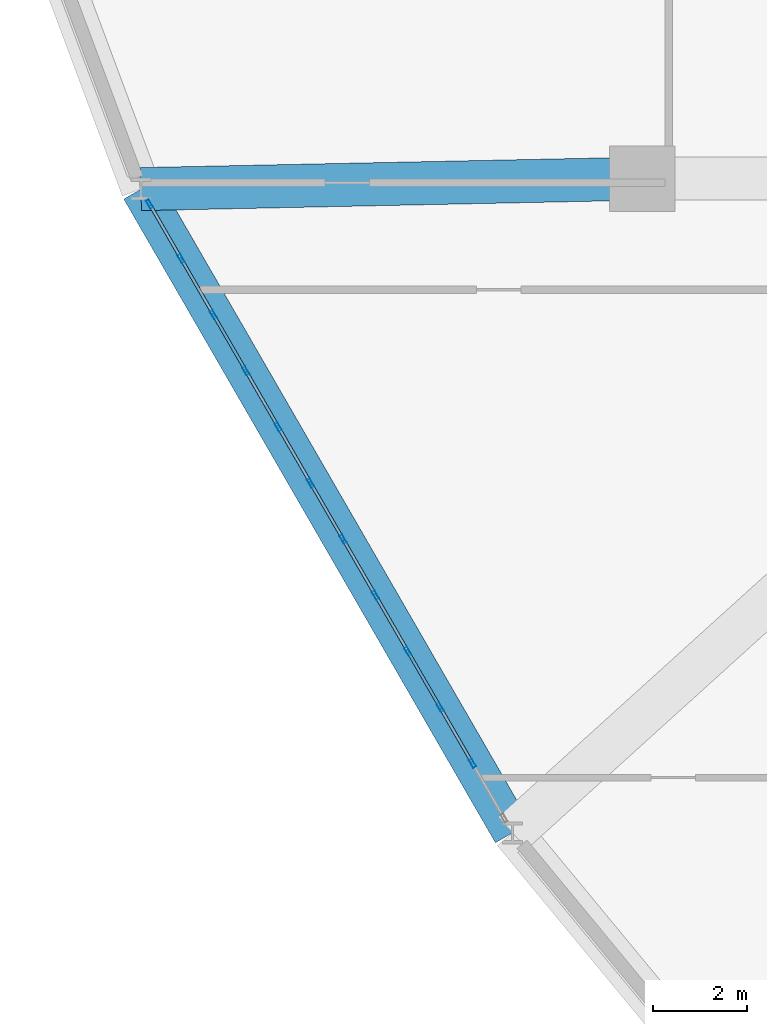
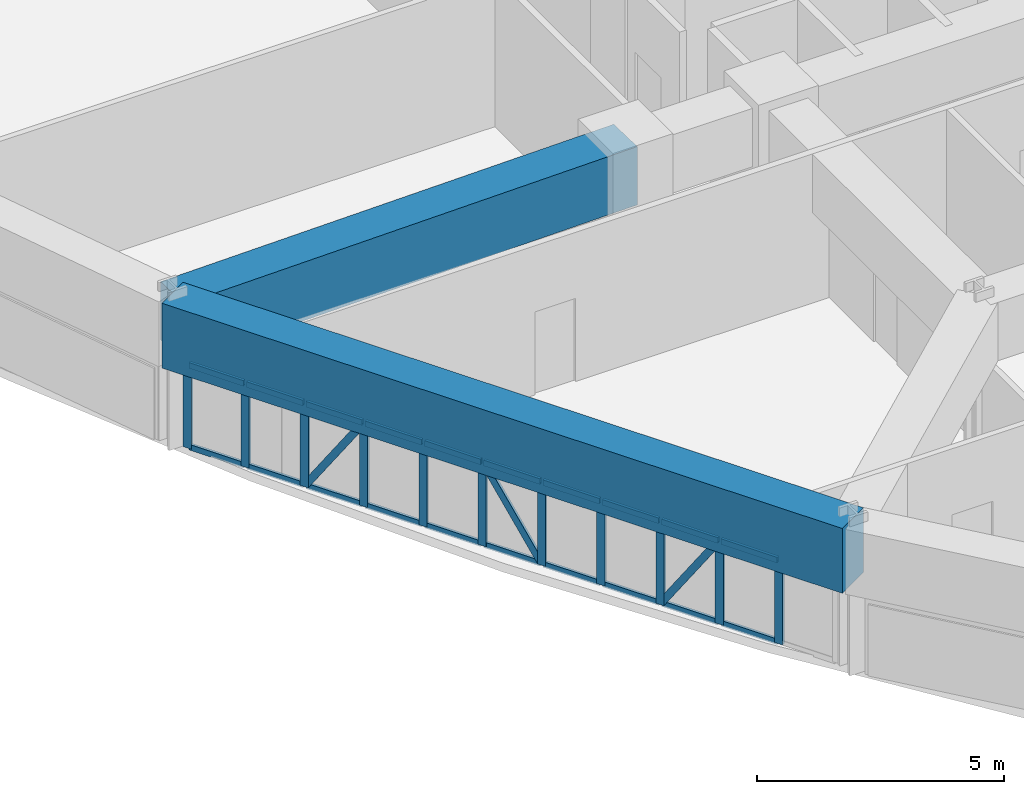
# One storey, part 4 of 20: 34 members, 2 beams, 1 element without a shape of its own.
"""IFC4 building model written with IfcOpenShell, lengths in metres."""

from ifc_helpers import new_model, si_unit, derived_unit, direction, frame, origin, origin_2d, place, context, subcontext, project, spatial, rectangle, hollow_rectangle, extrude, source, transform, mapped, material, layer, layer_set, material_profile, profile_set, type_object, element, aggregate, save


model = new_model("IFC4")

# Units and contexts
model_context = context("Model", 3, precision=1e-05, world=origin(), true_north=direction((0.0, 1.0)))
body_context = subcontext(model_context, "Body", "Model", "MODEL_VIEW")
ifc_project = project(units=[si_unit("LENGTHUNIT", "METRE"), si_unit("AREAUNIT", "SQUARE_METRE"), si_unit("VOLUMEUNIT", "CUBIC_METRE"), si_unit("PLANEANGLEUNIT", "RADIAN"), si_unit("MASSUNIT", "GRAM", prefix="KILO"), derived_unit("THERMALTRANSMITTANCEUNIT", [(si_unit("POWERUNIT", "WATT"), 1), (si_unit("LENGTHUNIT", "METRE"), -2), (si_unit("THERMODYNAMICTEMPERATUREUNIT", "KELVIN"), -1)])], contexts=[model_context])

# Site, building, storey
site_placement = place(None, origin())
site = spatial("IfcSite", under=ifc_project, at=site_placement, CompositionType="ELEMENT")
building_placement = place(site_placement, origin())
building = spatial("IfcBuilding", under=site, at=building_placement, Name="Korsvarv Bourse and Concert Hall", CompositionType="ELEMENT")
storey_placement = place(building_placement, frame((0.0, 0.0, 35.699951171875)))
storey = spatial("IfcBuildingStorey", under=building, at=storey_placement, Name="L08", CompositionType="ELEMENT", Elevation=35.699951171875)

# Beams
ifc_material_1 = material(Name="Concrete C55/67", Category="concrete")
ifc_material_profile_1 = material_profile(ifc_material_1, rectangle(XDim=0.85009765625, YDim=1.60009765625, at=origin_2d()), Name="RC-BM 850x1600")
ifc_profile_set_1 = profile_set([ifc_material_profile_1], Name="Concrete C55/67")
beam_type_1 = type_object("IfcBeamType", Name="BM-TR1B", PredefinedType="BEAM", material=ifc_profile_set_1)
shared_shape_1 = source(origin(), body_context, "Body", "SweptSolid", [
    extrude(rectangle(XDim=0.85009765625, YDim=1.60009765625, at=origin_2d()), origin(), (0.0, 0.0, 1.0), 15.88232421875),
])
beam_1_placement = place(storey_placement, frame((13.4951171875, 32.176513671875, 2.880126953125), z_axis=(0.500002773106, -0.866023802725, 0.0), x_axis=(0.866023802725, 0.500002773106, 0.0)))
element("IfcBeam", 1, at=beam_1_placement, inside=storey, type_object=beam_type_1, Name="L08 beam B-TR2", PredefinedType="BEAM", context=body_context, shape_type="MappedRepresentation", body=[
    mapped(shared_shape_1, transform((0.0, 0.0, 0.0), scale=1.0)),
])
ifc_material_2 = material(Name="Concrete C50/60", Category="concrete")
ifc_material_profile_2 = material_profile(ifc_material_2, rectangle(XDim=0.919921875, YDim=1.43994140625, at=origin_2d()), Name="RC-BM 920x1440")
ifc_profile_set_2 = profile_set([ifc_material_profile_2], Name="Concrete C50/60")
beam_type_2 = type_object("IfcBeamType", Name="BM-TR-144", PredefinedType="BEAM", material=ifc_profile_set_2)
shared_shape_2 = source(origin(), body_context, "Body", "SweptSolid", [
    extrude(rectangle(XDim=0.919921875, YDim=1.43994140625, at=origin_2d()), origin(), (0.0, 0.0, 1.0), 10.707275390625),
])
beam_2_placement = place(storey_placement, frame((13.4951171875, 32.176513671875, 2.9599609375), z_axis=(0.999782333994, 0.020863476078, 0.0), x_axis=(-0.020863476078, 0.999782333994, 0.0)))
element("IfcBeam", 2, at=beam_2_placement, inside=storey, type_object=beam_type_2, Name="L08 beam B-TR4", PredefinedType="BEAM", context=body_context, shape_type="MappedRepresentation", body=[
    mapped(shared_shape_2, transform((0.0, 0.0, 0.0), scale=1.0)),
])

# Curtain wall, members
ifc_material_3 = material(Name="Anodised aluminium and triple low-E glazing", Category="glass")
ifc_layer = layer(ifc_material_3, 0.219970703125)
ifc_layer_set = layer_set([ifc_layer], Name="Anodised aluminium and triple low-E glazing")
curtain_wall_type = type_object("IfcCurtainWallType", Name="CW-SYS-1", PredefinedType="NOTDEFINED", material=ifc_layer_set)
curtain_wall_placement = place(storey_placement, origin())
curtain_wall = element("IfcCurtainWall", 3, at=curtain_wall_placement, inside=storey, type_object=curtain_wall_type, Name="L08 CW1 curtain wall CW-L08-F07", PredefinedType="NOTDEFINED")
ifc_material_4 = material(Name="Extruded aluminium EN AW-6063 T66", Category="aluminium")
ifc_material_profile_3 = material_profile(ifc_material_4, hollow_rectangle(XDim=0.070068359375, YDim=0.18994140625, WallThickness=0.0048828125, at=origin_2d()), Name="ALU-M 70x190")
ifc_profile_set_3 = profile_set([ifc_material_profile_3], Name="Extruded aluminium EN AW-6063 T66")
member_type_1 = type_object("IfcMemberType", Name="CWM-190", PredefinedType="MULLION", material=ifc_profile_set_3)
shared_shape_3 = source(origin(), body_context, "Body", "SweptSolid", [
    extrude(hollow_rectangle(XDim=0.070068359375, YDim=0.18994140625, WallThickness=0.0048828125, at=origin_2d()), origin(), (0.0, 0.0, 1.0), 2.080078125),
])
member_1_placement = place(storey_placement, frame((13.678466796875, 31.859130859375, 0.0), z_axis=(0.0, 0.0, 1.0), x_axis=(0.866025616828, 0.499999630998, 0.0)))
member_1 = element("IfcMember", 4, at=member_1_placement, type_object=member_type_1, Name="CW1 mullion 1", PredefinedType="MULLION", context=body_context, shape_type="MappedRepresentation", body=[
    mapped(shared_shape_3, transform((0.0, 0.0, 0.0), scale=1.0)),
])
member_2_placement = place(storey_placement, frame((14.352783203125, 30.691162109375, 0.0), z_axis=(0.0, 0.0, 1.0), x_axis=(0.866025616828, 0.499999630998, 0.0)))
member_2 = element("IfcMember", 5, at=member_2_placement, type_object=member_type_1, Name="CW1 mullion 2", PredefinedType="MULLION", context=body_context, shape_type="MappedRepresentation", body=[
    mapped(shared_shape_3, transform((0.0, 0.0, 0.0), scale=1.0)),
])
member_3_placement = place(storey_placement, frame((15.04443359375, 29.492919921875, 0.0), z_axis=(0.0, 0.0, 1.0), x_axis=(0.866025616828, 0.499999630998, 0.0)))
member_3 = element("IfcMember", 6, at=member_3_placement, type_object=member_type_1, Name="CW1 mullion 3", PredefinedType="MULLION", context=body_context, shape_type="MappedRepresentation", body=[
    mapped(shared_shape_3, transform((0.0, 0.0, 0.0), scale=1.0)),
])
member_4_placement = place(storey_placement, frame((15.736328125, 28.294677734375, 0.0), z_axis=(0.0, 0.0, 1.0), x_axis=(0.866025616828, 0.499999630998, 0.0)))
member_4 = element("IfcMember", 7, at=member_4_placement, type_object=member_type_1, Name="CW1 mullion 4", PredefinedType="MULLION", context=body_context, shape_type="MappedRepresentation", body=[
    mapped(shared_shape_3, transform((0.0, 0.0, 0.0), scale=1.0)),
])
member_5_placement = place(storey_placement, frame((16.427978515625, 27.096435546875, 0.0), z_axis=(0.0, 0.0, 1.0), x_axis=(0.866025616828, 0.499999630998, 0.0)))
member_5 = element("IfcMember", 8, at=member_5_placement, type_object=member_type_1, Name="CW1 mullion 5", PredefinedType="MULLION", context=body_context, shape_type="MappedRepresentation", body=[
    mapped(shared_shape_3, transform((0.0, 0.0, 0.0), scale=1.0)),
])
member_6_placement = place(storey_placement, frame((17.119873046875, 25.898193359375, 0.0), z_axis=(0.0, 0.0, 1.0), x_axis=(0.866025616828, 0.499999630998, 0.0)))
member_6 = element("IfcMember", 9, at=member_6_placement, type_object=member_type_1, Name="CW1 mullion 6", PredefinedType="MULLION", context=body_context, shape_type="MappedRepresentation", body=[
    mapped(shared_shape_3, transform((0.0, 0.0, 0.0), scale=1.0)),
])
member_7_placement = place(storey_placement, frame((17.8115234375, 24.7001953125, 0.0), z_axis=(0.0, 0.0, 1.0), x_axis=(0.866025616828, 0.499999630998, 0.0)))
member_7 = element("IfcMember", 10, at=member_7_placement, type_object=member_type_1, Name="CW1 mullion 7", PredefinedType="MULLION", context=body_context, shape_type="MappedRepresentation", body=[
    mapped(shared_shape_3, transform((0.0, 0.0, 0.0), scale=1.0)),
])
member_8_placement = place(storey_placement, frame((18.50341796875, 23.501953125, 0.0), z_axis=(0.0, 0.0, 1.0), x_axis=(0.866025616828, 0.499999630998, 0.0)))
member_8 = element("IfcMember", 11, at=member_8_placement, type_object=member_type_1, Name="CW1 mullion 8", PredefinedType="MULLION", context=body_context, shape_type="MappedRepresentation", body=[
    mapped(shared_shape_3, transform((0.0, 0.0, 0.0), scale=1.0)),
])
member_9_placement = place(storey_placement, frame((19.1953125, 22.3037109375, 0.0), z_axis=(0.0, 0.0, 1.0), x_axis=(0.866025616828, 0.499999630998, 0.0)))
member_9 = element("IfcMember", 12, at=member_9_placement, type_object=member_type_1, Name="CW1 mullion 9", PredefinedType="MULLION", context=body_context, shape_type="MappedRepresentation", body=[
    mapped(shared_shape_3, transform((0.0, 0.0, 0.0), scale=1.0)),
])
member_10_placement = place(storey_placement, frame((19.886962890625, 21.10546875, 0.0), z_axis=(0.0, 0.0, 1.0), x_axis=(0.866025616828, 0.499999630998, 0.0)))
member_10 = element("IfcMember", 13, at=member_10_placement, type_object=member_type_1, Name="CW1 mullion 10", PredefinedType="MULLION", context=body_context, shape_type="MappedRepresentation", body=[
    mapped(shared_shape_3, transform((0.0, 0.0, 0.0), scale=1.0)),
])
member_11_placement = place(storey_placement, frame((20.578857421875, 19.9072265625, 0.0), z_axis=(0.0, 0.0, 1.0), x_axis=(0.866025616828, 0.499999630998, 0.0)))
member_11 = element("IfcMember", 14, at=member_11_placement, type_object=member_type_1, Name="CW1 mullion 11", PredefinedType="MULLION", context=body_context, shape_type="MappedRepresentation", body=[
    mapped(shared_shape_3, transform((0.0, 0.0, 0.0), scale=1.0)),
])
ifc_material_profile_4 = material_profile(ifc_material_4, hollow_rectangle(XDim=0.06494140625, YDim=0.139892578125, WallThickness=0.00390625, at=origin_2d()), Name="ALU-T 65x140")
ifc_profile_set_4 = profile_set([ifc_material_profile_4], Name="Extruded aluminium EN AW-6063 T66")
member_type_2 = type_object("IfcMemberType", Name="CWT-140", PredefinedType="USERDEFINED", material=ifc_profile_set_4)
shared_shape_4 = source(origin(), body_context, "Body", "SweptSolid", [
    extrude(hollow_rectangle(XDim=0.06494140625, YDim=0.139892578125, WallThickness=0.00390625, at=origin_2d()), origin(), (0.0, 0.0, 1.0), 1.27880859375),
])
member_12_placement = place(storey_placement, frame((13.69580078125, 31.828857421875, 0.032470703125), z_axis=(0.50001992892, -0.866013897511, 0.0), x_axis=(0.866013897511, 0.50001992892, 0.0)))
member_12 = element("IfcMember", 15, at=member_12_placement, type_object=member_type_2, Name="CW1 transom 1.1", ObjectType="TRANSOM", PredefinedType="USERDEFINED", context=body_context, shape_type="MappedRepresentation", body=[
    mapped(shared_shape_4, transform((0.0, 0.0, 0.0), scale=1.0)),
])
member_13_placement = place(storey_placement, frame((13.69580078125, 31.828857421875, 2.047607421875), z_axis=(0.50001992892, -0.866013897511, 0.0), x_axis=(0.866013897511, 0.50001992892, 0.0)))
member_13 = element("IfcMember", 16, at=member_13_placement, type_object=member_type_2, Name="CW1 transom 1.2", ObjectType="TRANSOM", PredefinedType="USERDEFINED", context=body_context, shape_type="MappedRepresentation", body=[
    mapped(shared_shape_4, transform((0.0, 0.0, 0.0), scale=1.0)),
])
shared_shape_5 = source(origin(), body_context, "Body", "SweptSolid", [
    extrude(hollow_rectangle(XDim=0.06494140625, YDim=0.139892578125, WallThickness=0.00390625, at=origin_2d()), origin(), (0.0, 0.0, 1.0), 1.313720703125),
])
member_14_placement = place(storey_placement, frame((14.3701171875, 30.660888671875, 0.032470703125), z_axis=(0.50007633992, -0.865981324425, 0.0), x_axis=(0.865981324425, 0.50007633992, 0.0)))
member_14 = element("IfcMember", 17, at=member_14_placement, type_object=member_type_2, Name="CW1 transom 2.1", ObjectType="TRANSOM", PredefinedType="USERDEFINED", context=body_context, shape_type="MappedRepresentation", body=[
    mapped(shared_shape_5, transform((0.0, 0.0, 0.0), scale=1.0)),
])
member_15_placement = place(storey_placement, frame((14.3701171875, 30.660888671875, 2.047607421875), z_axis=(0.50007633992, -0.865981324425, 0.0), x_axis=(0.865981324425, 0.50007633992, 0.0)))
member_15 = element("IfcMember", 18, at=member_15_placement, type_object=member_type_2, Name="CW1 transom 2.2", ObjectType="TRANSOM", PredefinedType="USERDEFINED", context=body_context, shape_type="MappedRepresentation", body=[
    mapped(shared_shape_5, transform((0.0, 0.0, 0.0), scale=1.0)),
])
member_16_placement = place(storey_placement, frame((15.06201171875, 29.462646484375, 0.032470703125), z_axis=(0.499936960004, -0.866061796884, 0.0), x_axis=(0.866061796884, 0.499936960004, 0.0)))
member_16 = element("IfcMember", 19, at=member_16_placement, type_object=member_type_2, Name="CW1 transom 3.1", ObjectType="TRANSOM", PredefinedType="USERDEFINED", context=body_context, shape_type="MappedRepresentation", body=[
    mapped(shared_shape_5, transform((0.0, 0.0, 0.0), scale=1.0)),
])
member_17_placement = place(storey_placement, frame((15.06201171875, 29.462646484375, 2.047607421875), z_axis=(0.499936960004, -0.866061796884, 0.0), x_axis=(0.866061796884, 0.499936960004, 0.0)))
member_17 = element("IfcMember", 20, at=member_17_placement, type_object=member_type_2, Name="CW1 transom 3.2", ObjectType="TRANSOM", PredefinedType="USERDEFINED", context=body_context, shape_type="MappedRepresentation", body=[
    mapped(shared_shape_5, transform((0.0, 0.0, 0.0), scale=1.0)),
])
member_18_placement = place(storey_placement, frame((18.52099609375, 23.4716796875, 0.032470703125), z_axis=(0.499936960004, -0.866061796884, 0.0), x_axis=(0.866061796884, 0.499936960004, 0.0)))
member_18 = element("IfcMember", 21, at=member_18_placement, type_object=member_type_2, Name="CW1 transom 8.1", ObjectType="TRANSOM", PredefinedType="USERDEFINED", context=body_context, shape_type="MappedRepresentation", body=[
    mapped(shared_shape_5, transform((0.0, 0.0, 0.0), scale=1.0)),
])
member_19_placement = place(storey_placement, frame((18.52099609375, 23.4716796875, 2.047607421875), z_axis=(0.499936960004, -0.866061796884, 0.0), x_axis=(0.866061796884, 0.499936960004, 0.0)))
member_19 = element("IfcMember", 22, at=member_19_placement, type_object=member_type_2, Name="CW1 transom 8.2", ObjectType="TRANSOM", PredefinedType="USERDEFINED", context=body_context, shape_type="MappedRepresentation", body=[
    mapped(shared_shape_5, transform((0.0, 0.0, 0.0), scale=1.0)),
])
member_20_placement = place(storey_placement, frame((19.212646484375, 22.2734375, 0.032470703125), z_axis=(0.50007633992, -0.865981324425, 0.0), x_axis=(0.865981324425, 0.50007633992, 0.0)))
member_20 = element("IfcMember", 23, at=member_20_placement, type_object=member_type_2, Name="CW1 transom 9.1", ObjectType="TRANSOM", PredefinedType="USERDEFINED", context=body_context, shape_type="MappedRepresentation", body=[
    mapped(shared_shape_5, transform((0.0, 0.0, 0.0), scale=1.0)),
])
member_21_placement = place(storey_placement, frame((19.212646484375, 22.2734375, 2.047607421875), z_axis=(0.50007633992, -0.865981324425, 0.0), x_axis=(0.865981324425, 0.50007633992, 0.0)))
member_21 = element("IfcMember", 24, at=member_21_placement, type_object=member_type_2, Name="CW1 transom 9.2", ObjectType="TRANSOM", PredefinedType="USERDEFINED", context=body_context, shape_type="MappedRepresentation", body=[
    mapped(shared_shape_5, transform((0.0, 0.0, 0.0), scale=1.0)),
])
member_22_placement = place(storey_placement, frame((19.904541015625, 21.0751953125, 0.032470703125), z_axis=(0.499936960004, -0.866061796884, 0.0), x_axis=(0.866061796884, 0.499936960004, 0.0)))
member_22 = element("IfcMember", 25, at=member_22_placement, type_object=member_type_2, Name="CW1 transom 10.1", ObjectType="TRANSOM", PredefinedType="USERDEFINED", context=body_context, shape_type="MappedRepresentation", body=[
    mapped(shared_shape_5, transform((0.0, 0.0, 0.0), scale=1.0)),
])
member_23_placement = place(storey_placement, frame((19.904541015625, 21.0751953125, 2.047607421875), z_axis=(0.499936960004, -0.866061796884, 0.0), x_axis=(0.866061796884, 0.499936960004, 0.0)))
member_23 = element("IfcMember", 26, at=member_23_placement, type_object=member_type_2, Name="CW1 transom 10.2", ObjectType="TRANSOM", PredefinedType="USERDEFINED", context=body_context, shape_type="MappedRepresentation", body=[
    mapped(shared_shape_5, transform((0.0, 0.0, 0.0), scale=1.0)),
])
ifc_material_profile_5 = material_profile(ifc_material_4, hollow_rectangle(XDim=0.06494140625, YDim=0.1650390625, WallThickness=0.0048828125, at=origin_2d()), Name="ALU-M 65x165")
ifc_profile_set_5 = profile_set([ifc_material_profile_5], Name="Extruded aluminium EN AW-6063 T66")
member_type_3 = type_object("IfcMemberType", Name="CWM-165", PredefinedType="MULLION", material=ifc_profile_set_5)
shared_shape_6 = source(origin(), body_context, "Body", "SweptSolid", [
    extrude(hollow_rectangle(XDim=0.06494140625, YDim=0.1650390625, WallThickness=0.0048828125, at=origin_2d()), origin(), (0.0, 0.0, 1.0), 2.351318359375),
])
member_24_placement = place(storey_placement, frame((15.06201171875, 29.462646484375, 0.06494140625), z_axis=(0.279300861455, -0.483844615011, 0.82938858041), x_axis=(0.866061796884, 0.499936960004, 0.0)))
member_24 = element("IfcMember", 27, at=member_24_placement, type_object=member_type_3, Name="CW1 diagonal mullion 3", PredefinedType="MULLION", context=body_context, shape_type="MappedRepresentation", body=[
    mapped(shared_shape_6, transform((0.0, 0.0, 0.0), scale=1.0)),
])
member_25_placement = place(storey_placement, frame((17.794189453125, 24.73046875, 0.06494140625), z_axis=(-0.279314892316, 0.483765086728, 0.829430245285), x_axis=(-0.866015334839, -0.500017439519, 0.0)))
member_25 = element("IfcMember", 28, at=member_25_placement, type_object=member_type_3, Name="CW1 diagonal mullion 6", PredefinedType="MULLION", context=body_context, shape_type="MappedRepresentation", body=[
    mapped(shared_shape_6, transform((0.0, 0.0, 0.0), scale=1.0)),
])
member_26_placement = place(storey_placement, frame((19.212646484375, 22.2734375, 0.06494140625), z_axis=(0.279396586989, -0.483830581705, 0.829364525035), x_axis=(0.865981324425, 0.50007633992, 0.0)))
member_26 = element("IfcMember", 29, at=member_26_placement, type_object=member_type_3, Name="CW1 diagonal mullion 9", PredefinedType="MULLION", context=body_context, shape_type="MappedRepresentation", body=[
    mapped(shared_shape_6, transform((0.0, 0.0, 0.0), scale=1.0)),
])
shared_shape_7 = source(origin(), body_context, "Body", "SweptSolid", [
    extrude(hollow_rectangle(XDim=0.06494140625, YDim=0.139892578125, WallThickness=0.00390625, at=origin_2d()), origin(), (0.0, 0.0, 1.0), 1.3134765625),
])
member_27_placement = place(storey_placement, frame((15.753662109375, 28.264404296875, 0.032470703125), z_axis=(0.500156826909, -0.865934840791, 0.0), x_axis=(0.865934840791, 0.500156826909, 0.0)))
member_27 = element("IfcMember", 30, at=member_27_placement, type_object=member_type_2, Name="CW1 transom 4.1", ObjectType="TRANSOM", PredefinedType="USERDEFINED", context=body_context, shape_type="MappedRepresentation", body=[
    mapped(shared_shape_7, transform((0.0, 0.0, 0.0), scale=1.0)),
])
member_28_placement = place(storey_placement, frame((15.753662109375, 28.264404296875, 2.047607421875), z_axis=(0.500156826909, -0.865934840791, 0.0), x_axis=(0.865934840791, 0.500156826909, 0.0)))
member_28 = element("IfcMember", 31, at=member_28_placement, type_object=member_type_2, Name="CW1 transom 4.2", ObjectType="TRANSOM", PredefinedType="USERDEFINED", context=body_context, shape_type="MappedRepresentation", body=[
    mapped(shared_shape_7, transform((0.0, 0.0, 0.0), scale=1.0)),
])
member_29_placement = place(storey_placement, frame((16.445556640625, 27.066162109375, 0.032470703125), z_axis=(0.500017439519, -0.866015334839, 0.0), x_axis=(0.866015334839, 0.500017439519, 0.0)))
member_29 = element("IfcMember", 32, at=member_29_placement, type_object=member_type_2, Name="CW1 transom 5.1", ObjectType="TRANSOM", PredefinedType="USERDEFINED", context=body_context, shape_type="MappedRepresentation", body=[
    mapped(shared_shape_7, transform((0.0, 0.0, 0.0), scale=1.0)),
])
member_30_placement = place(storey_placement, frame((16.445556640625, 27.066162109375, 2.047607421875), z_axis=(0.500017439519, -0.866015334839, 0.0), x_axis=(0.866015334839, 0.500017439519, 0.0)))
member_30 = element("IfcMember", 33, at=member_30_placement, type_object=member_type_2, Name="CW1 transom 5.2", ObjectType="TRANSOM", PredefinedType="USERDEFINED", context=body_context, shape_type="MappedRepresentation", body=[
    mapped(shared_shape_7, transform((0.0, 0.0, 0.0), scale=1.0)),
])
member_31_placement = place(storey_placement, frame((17.137451171875, 25.867919921875, 0.032470703125), z_axis=(0.500017439519, -0.866015334839, 0.0), x_axis=(0.866015334839, 0.500017439519, 0.0)))
member_31 = element("IfcMember", 34, at=member_31_placement, type_object=member_type_2, Name="CW1 transom 6.1", ObjectType="TRANSOM", PredefinedType="USERDEFINED", context=body_context, shape_type="MappedRepresentation", body=[
    mapped(shared_shape_7, transform((0.0, 0.0, 0.0), scale=1.0)),
])
member_32_placement = place(storey_placement, frame((17.137451171875, 25.867919921875, 2.047607421875), z_axis=(0.500017439519, -0.866015334839, 0.0), x_axis=(0.866015334839, 0.500017439519, 0.0)))
member_32 = element("IfcMember", 35, at=member_32_placement, type_object=member_type_2, Name="CW1 transom 6.2", ObjectType="TRANSOM", PredefinedType="USERDEFINED", context=body_context, shape_type="MappedRepresentation", body=[
    mapped(shared_shape_7, transform((0.0, 0.0, 0.0), scale=1.0)),
])
member_33_placement = place(storey_placement, frame((17.8291015625, 24.669677734375, 0.032470703125), z_axis=(0.500017439519, -0.866015334839, 0.0), x_axis=(0.866015334839, 0.500017439519, 0.0)))
member_33 = element("IfcMember", 36, at=member_33_placement, type_object=member_type_2, Name="CW1 transom 7.1", ObjectType="TRANSOM", PredefinedType="USERDEFINED", context=body_context, shape_type="MappedRepresentation", body=[
    mapped(shared_shape_7, transform((0.0, 0.0, 0.0), scale=1.0)),
])
member_34_placement = place(storey_placement, frame((17.8291015625, 24.669677734375, 2.047607421875), z_axis=(0.500017439519, -0.866015334839, 0.0), x_axis=(0.866015334839, 0.500017439519, 0.0)))
member_34 = element("IfcMember", 37, at=member_34_placement, type_object=member_type_2, Name="CW1 transom 7.2", ObjectType="TRANSOM", PredefinedType="USERDEFINED", context=body_context, shape_type="MappedRepresentation", body=[
    mapped(shared_shape_7, transform((0.0, 0.0, 0.0), scale=1.0)),
])
aggregate(curtain_wall, [member_1, member_2, member_3, member_4, member_5, member_6, member_7, member_8, member_9, member_10, member_11, member_12, member_13, member_14, member_15, member_16, member_17, member_24, member_27, member_28, member_29, member_30, member_31, member_32, member_25, member_33, member_34, member_18, member_19, member_20, member_21, member_26, member_22, member_23])

save(model, "model.ifc")
